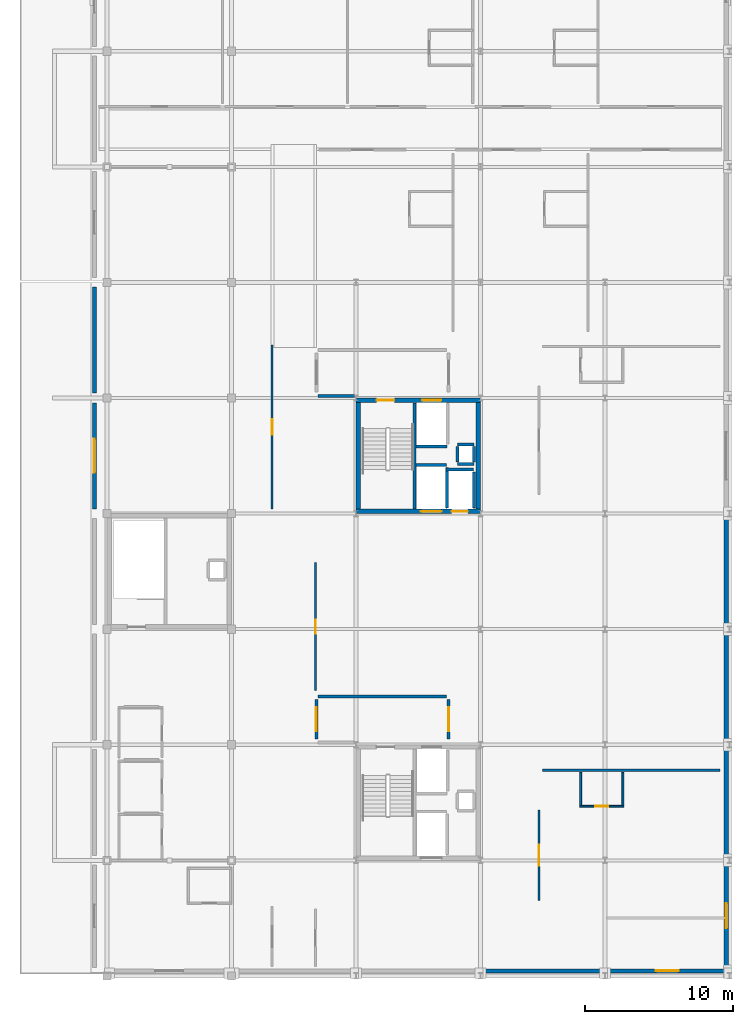
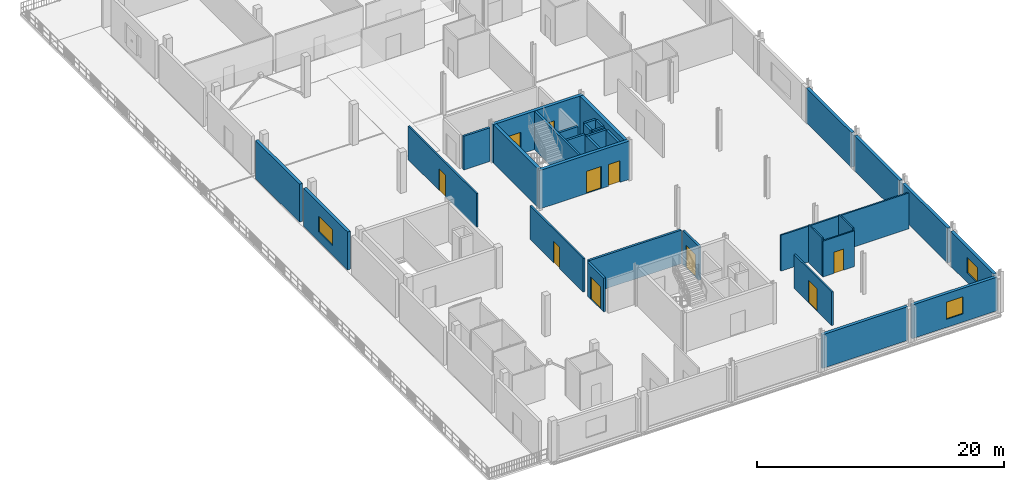
# One storey, part 8 of 16: 33 walls, 10 doors, 3 windows, 13 openings.
"""IFC4 building model written with IfcOpenShell, lengths in metres."""

from ifc_helpers import new_model, si_unit, direction, frame, frame_2d, origin, place, context, subcontext, project, spatial, rectangle, extrude, material, layer, layer_set, type_object, element, fill, save


model = new_model("IFC4")

# Units and contexts
model_context = context("Model", 3, precision=1e-05, world=origin(), true_north=direction((0.0, 1.0)))
body_context = subcontext(model_context, "Body", "Model", "MODEL_VIEW")
ifc_project = project(units=[si_unit("LENGTHUNIT", "METRE"), si_unit("AREAUNIT", "SQUARE_METRE"), si_unit("VOLUMEUNIT", "CUBIC_METRE"), si_unit("PLANEANGLEUNIT", "RADIAN"), si_unit("MASSUNIT", "GRAM", prefix="KILO")], contexts=[model_context])

# Site, building, storey
site_placement = place(None, origin())
site = spatial("IfcSite", under=ifc_project, at=site_placement, CompositionType="ELEMENT")
building_placement = place(site_placement, origin())
building = spatial("IfcBuilding", under=site, at=building_placement, Name="Nabrawat Pavilion Hospital", CompositionType="ELEMENT")
storey_placement = place(building_placement, frame((0.0, 0.0, 31.050048828125)))
storey = spatial("IfcBuildingStorey", under=building, at=storey_placement, Name="L07", CompositionType="ELEMENT", Elevation=31.050048828125)

# Wall, opening, door
ifc_material_1 = material(Name="Gypsum Fireboard on Steel Stud", Category="steel")
ifc_layer_1 = layer(ifc_material_1, 0.14990234375, Name="Gypsum Fireboard on Steel Stud")
ifc_layer_set_1 = layer_set([ifc_layer_1], Name="Gypsum Fireboard on Steel Stud")
wall_type_1 = type_object("IfcWallType", Name="Clinical Corridor Smoke-Barrier Wall 150", PredefinedType="PARTITIONING", material=ifc_layer_set_1)
wall_1_placement = place(storey_placement, frame((162.3349609375, 70.52001953125, 0.0), z_axis=(0.0, 0.0, 1.0), x_axis=(0.0, 1.0, 0.0)))
wall_1 = element("IfcWall", 1, at=wall_1_placement, inside=storey, type_object=wall_type_1, Name="L07 Upper Garden View Patient Lounge L07-02 Front Partition", PredefinedType="PARTITIONING", context=body_context, shape_type="SweptSolid", body=[
    extrude(rectangle(XDim=11.06005859375, YDim=0.14990234375, at=frame_2d((5.530029296875, 0.0))), origin(), (0.0, 0.0, 1.0), 3.33984375),
])
opening_1_placement = place(wall_1_placement, frame((5.0048828125, 0.0, 0.0)))
opening_1 = element("IfcOpeningElement", 2, at=opening_1_placement, cuts=wall_1, Name="Opening D-OPC-R", PredefinedType="OPENING", context=body_context, shape_type="SweptSolid", body=[
    extrude(rectangle(XDim=1.050048828125, YDim=2.14990234375, at=frame_2d((0.52490234375, 1.074951171875))), frame((0.0, 0.0849609375, 0.0), z_axis=(0.0, -1.0, 0.0), x_axis=(1.0, 0.0, 0.0)), (0.0, 0.0, 1.0), 0.169921875),
])
ifc_material_2 = material(Name="Stainless-Clad Acoustic Timber and Vision Glass", Category="wood")
door_type_1 = type_object("IfcDoorType", Name="Outpatient Clinic Consultation Door R 1050x2150", OperationType="NOTDEFINED", PredefinedType="DOOR", material=ifc_material_2)
door_1_placement = place(opening_1_placement, origin())
door_1 = element("IfcDoor", 3, at=door_1_placement, inside=storey, type_object=door_type_1, Name="Upper Garden View Patient Lounge L07-02 Door", OperationType="SINGLE_SWING_LEFT", OverallHeight=2.14990234375, OverallWidth=1.050048828125, PredefinedType="DOOR", context=body_context, shape_type="SweptSolid", body=[
    extrude(rectangle(XDim=1.050048828125, YDim=2.14990234375, at=frame_2d((0.52490234375, 1.074951171875))), frame((0.0, 0.02490234375, 0.0), z_axis=(0.0, -1.0, 0.0), x_axis=(1.0, 0.0, 0.0)), (0.0, 0.0, 1.0), 0.050048828125),
])
fill(opening_1, door_1)

wall_2_placement = place(storey_placement, frame((165.264892578125, 58.25, 0.0), z_axis=(0.0, 0.0, 1.0), x_axis=(0.0, 1.0, 0.0)))
wall_2 = element("IfcWall", 4, at=wall_2_placement, inside=storey, type_object=wall_type_1, Name="L07 Multidisciplinary Case Review Room L07-04 Front Partition", PredefinedType="PARTITIONING", context=body_context, shape_type="SweptSolid", body=[
    extrude(rectangle(XDim=8.64990234375, YDim=0.14990234375, at=frame_2d((4.324951171875, 0.0))), origin(), (0.0, 0.0, 1.0), 3.33984375),
])
opening_2_placement = place(wall_2_placement, frame((3.85009765625, 0.0, 0.0)))
opening_2 = element("IfcOpeningElement", 5, at=opening_2_placement, cuts=wall_2, Name="Opening D-ADM", PredefinedType="OPENING", context=body_context, shape_type="SweptSolid", body=[
    extrude(rectangle(XDim=0.949951171875, YDim=2.10009765625, at=frame_2d((0.47509765625, 1.050048828125))), frame((0.0, 0.0849609375, 0.0), z_axis=(0.0, -1.0, 0.0), x_axis=(1.0, 0.0, 0.0)), (0.0, 0.0, 1.0), 0.169921875),
])
door_type_2 = type_object("IfcDoorType", Name="Clinical Office Acoustic Door 950x2100", OperationType="NOTDEFINED", PredefinedType="DOOR", material=ifc_material_2)
door_2_placement = place(opening_2_placement, origin())
door_2 = element("IfcDoor", 6, at=door_2_placement, inside=storey, type_object=door_type_2, Name="Multidisciplinary Case Review Room L07-04 Door", OperationType="SINGLE_SWING_LEFT", OverallHeight=2.10009765625, OverallWidth=0.949951171875, PredefinedType="DOOR", context=body_context, shape_type="SweptSolid", body=[
    extrude(rectangle(XDim=0.949951171875, YDim=2.10009765625, at=frame_2d((0.47509765625, 1.050048828125))), frame((0.0, 0.02490234375, 0.0), z_axis=(0.0, -1.0, 0.0), x_axis=(1.0, 0.0, 0.0)), (0.0, 0.0, 1.0), 0.050048828125),
])
fill(opening_2, door_2)

wall_3_placement = place(storey_placement, frame((180.35009765625, 44.080078125, 0.0), z_axis=(0.0, 0.0, 1.0), x_axis=(0.0, 1.0, 0.0)))
wall_3 = element("IfcWall", 7, at=wall_3_placement, inside=storey, type_object=wall_type_1, Name="L07 Inpatient Ward Respiratory Boulevard Suite L07-E1 Front Partition", PredefinedType="PARTITIONING", context=body_context, shape_type="SweptSolid", body=[
    extrude(rectangle(XDim=6.1298828125, YDim=0.14990234375, at=frame_2d((3.06494140625, 0.0))), origin(), (0.0, 0.0, 1.0), 3.33984375),
])
opening_3_placement = place(wall_3_placement, frame((2.364990234375, 0.0, 0.0)))
opening_3 = element("IfcOpeningElement", 8, at=opening_3_placement, cuts=wall_3, Name="Opening D-BED", PredefinedType="OPENING", context=body_context, shape_type="SweptSolid", body=[
    extrude(rectangle(XDim=1.39990234375, YDim=2.199951171875, at=frame_2d((0.699951171875, 1.10009765625))), frame((0.0, 0.0849609375, 0.0), z_axis=(0.0, -1.0, 0.0), x_axis=(1.0, 0.0, 0.0)), (0.0, 0.0, 1.0), 0.169921875),
])
door_type_3 = type_object("IfcDoorType", Name="D-BED Inpatient Ward Leaf-and-a-Half Door 1400x2200", OperationType="NOTDEFINED", PredefinedType="DOOR", material=ifc_material_2)
door_3_placement = place(opening_3_placement, origin())
door_3 = element("IfcDoor", 9, at=door_3_placement, inside=storey, type_object=door_type_3, Name="Inpatient Ward Respiratory Boulevard Suite L07-E1 Door", OperationType="SINGLE_SWING_RIGHT", OverallHeight=2.199951171875, OverallWidth=1.39990234375, PredefinedType="DOOR", context=body_context, shape_type="SweptSolid", body=[
    extrude(rectangle(XDim=1.39990234375, YDim=2.199951171875, at=frame_2d((0.699951171875, 1.10009765625))), frame((0.0, 0.02490234375, 0.0), z_axis=(0.0, -1.0, 0.0), x_axis=(1.0, 0.0, 0.0)), (0.0, 0.0, 1.0), 0.050048828125),
])
fill(opening_3, door_3)

ifc_material_3 = material(Name="Cement Board on Steel Stud", Category="steel")
ifc_layer_2 = layer(ifc_material_3, 0.1298828125, Name="Cement Board on Steel Stud")
ifc_layer_set_2 = layer_set([ifc_layer_2], Name="Cement Board on Steel Stud")
wall_type_2 = type_object("IfcWallType", Name="En-Suite Moisture-Resistant Partition 130", PredefinedType="PARTITIONING", material=ifc_layer_set_2)
wall_4_placement = place(storey_placement, frame((183.0849609375, 50.449951171875, 0.0), z_axis=(0.0, 0.0, 1.0), x_axis=(1.0, 0.0, 0.0)))
wall_4 = element("IfcWall", 10, at=wall_4_placement, inside=storey, type_object=wall_type_2, Name="L07 En-Suite Bathroom WRD-RSP-E1 Front Partition", PredefinedType="PARTITIONING", context=body_context, shape_type="SweptSolid", body=[
    extrude(rectangle(XDim=2.97998046875, YDim=0.1298828125, at=frame_2d((1.489990234375, 0.0))), origin(), (0.0, 0.0, 1.0), 3.550048828125),
])
opening_4_placement = place(wall_4_placement, frame((1.0400390625, 0.0, 0.0)))
opening_4 = element("IfcOpeningElement", 11, at=opening_4_placement, cuts=wall_4, Name="Opening D-ENS-R", PredefinedType="OPENING", context=body_context, shape_type="SweptSolid", body=[
    extrude(rectangle(XDim=0.89990234375, YDim=2.10009765625, at=frame_2d((0.449951171875, 1.050048828125))), frame((0.0, 0.074951171875, 0.0), z_axis=(0.0, -1.0, 0.0), x_axis=(1.0, 0.0, 0.0)), (0.0, 0.0, 1.0), 0.14990234375),
])
door_type_4 = type_object("IfcDoorType", Name="En-Suite Bathroom Outward Door R 900x2100", OperationType="NOTDEFINED", PredefinedType="DOOR", material=ifc_material_2)
door_4_placement = place(opening_4_placement, origin())
door_4 = element("IfcDoor", 12, at=door_4_placement, inside=storey, type_object=door_type_4, Name="En-Suite Bathroom WRD-RSP-E1 Door", OperationType="SINGLE_SWING_LEFT", OverallHeight=2.10009765625, OverallWidth=0.89990234375, PredefinedType="DOOR", context=body_context, shape_type="SweptSolid", body=[
    extrude(rectangle(XDim=0.89990234375, YDim=2.10009765625, at=frame_2d((0.449951171875, 1.050048828125))), frame((0.0, 0.02490234375, 0.0), z_axis=(0.0, -1.0, 0.0), x_axis=(1.0, 0.0, 0.0)), (0.0, 0.0, 1.0), 0.050048828125),
])
fill(opening_4, door_4)

# Walls
for number, where, z_axis, x_axis, name in (
    (13, (183.14990234375, 50.514892578125, 0.0), (0.0, 0.0, 1.0), (0.0, 1.0, 0.0), "L07 En-Suite Bathroom WRD-RSP-E1 West Partition"),
    (14, (186.0, 50.514892578125, 0.0), (0.0, 0.0, 1.0), (0.0, 1.0, 0.0), "L07 En-Suite Bathroom WRD-RSP-E1 East Partition"),
):
    element("IfcWall", number, at=place(storey_placement, frame(where, z_axis=z_axis, x_axis=x_axis)), inside=storey, type_object=wall_type_2, Name=name, PredefinedType="PARTITIONING", context=body_context, shape_type="SweptSolid", body=[
        extrude(rectangle(XDim=2.22021484375, YDim=0.1298828125, at=frame_2d((1.110107421875, 0.0))), origin(), (0.0, 0.0, 1.0), 3.77001953125),
    ])
ifc_material_4 = material(Name="Concrete C35/45", Category="concrete")
ifc_layer_3 = layer(ifc_material_4, 0.199951171875, Name="Concrete C35/45")
ifc_layer_set_3 = layer_set([ifc_layer_3], Name="Concrete C35/45")
wall_type_3 = type_object("IfcWallType", Name="Firefighting Lobby Compartment Wall 200", PredefinedType="PARTITIONING", material=ifc_layer_set_3)
wall_5_placement = place(storey_placement, frame((165.43994140625, 57.85009765625, 0.0), z_axis=(0.0, 0.0, 1.0), x_axis=(1.0, 0.0, 0.0)))
element("IfcWall", 15, at=wall_5_placement, inside=storey, type_object=wall_type_3, Name="L07 CORE-5 Firefighting Lobby North Compartment Wall", PredefinedType="PARTITIONING", context=body_context, shape_type="SweptSolid", body=[
    extrude(rectangle(XDim=8.66015625, YDim=0.199951171875, at=frame_2d((4.330078125, 0.0))), origin(), (0.0, 0.0, 1.0), 3.33984375),
])

# Wall, opening, door
wall_6_placement = place(storey_placement, frame((165.320068359375, 55.0, 0.0), z_axis=(0.0, 0.0, 1.0), x_axis=(0.0, 1.0, 0.0)))
wall_6 = element("IfcWall", 16, at=wall_6_placement, inside=storey, type_object=wall_type_3, Name="L07 CORE-5 Firefighting Lobby West Compartment Wall", PredefinedType="PARTITIONING", context=body_context, shape_type="SweptSolid", body=[
    extrude(rectangle(XDim=2.64990234375, YDim=0.199951171875, at=frame_2d((1.324951171875, 0.0))), origin(), (0.0, 0.0, 1.0), 3.33984375),
])
opening_5_placement = place(wall_6_placement, frame((0.52490234375, 0.0, 0.0)))
opening_5 = element("IfcOpeningElement", 17, at=opening_5_placement, cuts=wall_6, Name="Opening D-FFL", PredefinedType="OPENING", context=body_context, shape_type="SweptSolid", body=[
    extrude(rectangle(XDim=1.60009765625, YDim=2.199951171875, at=frame_2d((0.800048828125, 1.10009765625))), frame((0.0, 0.10986328125, 0.0), z_axis=(0.0, -1.0, 0.0), x_axis=(1.0, 0.0, 0.0)), (0.0, 0.0, 1.0), 0.219970703125),
])
door_type_5 = type_object("IfcDoorType", Name="D-FFL Firefighting Lobby Double Smoke Door 1600x2200", OperationType="NOTDEFINED", PredefinedType="DOOR", material=ifc_material_2)
door_5_placement = place(opening_5_placement, origin())
door_5 = element("IfcDoor", 18, at=door_5_placement, inside=storey, type_object=door_type_5, Name="L07 CORE-5 Firefighting Lobby West Smoke Door", OperationType="DOUBLE_DOOR_SINGLE_SWING", OverallHeight=2.199951171875, OverallWidth=1.60009765625, PredefinedType="DOOR", context=body_context, shape_type="SweptSolid", body=[
    extrude(rectangle(XDim=1.60009765625, YDim=2.199951171875, at=frame_2d((0.800048828125, 1.10009765625))), frame((0.0, 0.02490234375, 0.0), z_axis=(0.0, -1.0, 0.0), x_axis=(1.0, 0.0, 0.0)), (0.0, 0.0, 1.0), 0.050048828125),
])
fill(opening_5, door_5)

wall_7_placement = place(storey_placement, frame((174.25, 55.0, 0.0), z_axis=(0.0, 0.0, 1.0), x_axis=(0.0, 1.0, 0.0)))
wall_7 = element("IfcWall", 19, at=wall_7_placement, inside=storey, type_object=wall_type_3, Name="L07 CORE-5 Firefighting Lobby East Compartment Wall", PredefinedType="PARTITIONING", context=body_context, shape_type="SweptSolid", body=[
    extrude(rectangle(XDim=2.64990234375, YDim=0.199951171875, at=frame_2d((1.324951171875, 0.0))), origin(), (0.0, 0.0, 1.0), 3.33984375),
])
opening_6_placement = place(wall_7_placement, frame((0.52490234375, 0.0, 0.0)))
opening_6 = element("IfcOpeningElement", 20, at=opening_6_placement, cuts=wall_7, Name="Opening D-FFL", PredefinedType="OPENING", context=body_context, shape_type="SweptSolid", body=[
    extrude(rectangle(XDim=1.60009765625, YDim=2.199951171875, at=frame_2d((0.800048828125, 1.10009765625))), frame((0.0, 0.10986328125, 0.0), z_axis=(0.0, -1.0, 0.0), x_axis=(1.0, 0.0, 0.0)), (0.0, 0.0, 1.0), 0.219970703125),
])
door_6_placement = place(opening_6_placement, origin())
door_6 = element("IfcDoor", 21, at=door_6_placement, inside=storey, type_object=door_type_5, Name="L07 CORE-5 Firefighting Lobby East Smoke Door", OperationType="DOUBLE_DOOR_SINGLE_SWING", OverallHeight=2.199951171875, OverallWidth=1.60009765625, PredefinedType="DOOR", context=body_context, shape_type="SweptSolid", body=[
    extrude(rectangle(XDim=1.60009765625, YDim=2.199951171875, at=frame_2d((0.800048828125, 1.10009765625))), frame((0.0, 0.02490234375, 0.0), z_axis=(0.0, -1.0, 0.0), x_axis=(1.0, 0.0, 0.0)), (0.0, 0.0, 1.0), 0.050048828125),
])
fill(opening_6, door_6)

# Walls
wall_8_placement = place(storey_placement, frame((165.43994140625, 78.14990234375, 0.0), z_axis=(0.0, 0.0, 1.0), x_axis=(1.0, 0.0, 0.0)))
element("IfcWall", 22, at=wall_8_placement, inside=storey, type_object=wall_type_3, Name="L07 CORE-6 Firefighting Lobby South Return Wall", PredefinedType="PARTITIONING", context=body_context, shape_type="SweptSolid", body=[
    extrude(rectangle(XDim=2.43994140625, YDim=0.199951171875, at=frame_2d((1.219970703125, 0.0))), origin(), (0.0, 0.0, 1.0), 3.33984375),
])
ifc_material_5 = material(Name="Acoustic Gypsum on Steel Stud", Category="steel")
ifc_layer_4 = layer(ifc_material_5, 0.139892578125, Name="Acoustic Gypsum on Steel Stud")
ifc_layer_set_4 = layer_set([ifc_layer_4], Name="Acoustic Gypsum on Steel Stud")
wall_type_4 = type_object("IfcWallType", Name="Inpatient Ward Acoustic Partition 140", PredefinedType="PARTITIONING", material=ifc_layer_set_4)
wall_9_placement = place(storey_placement, frame((180.570068359375, 52.8798828125, 0.0), z_axis=(0.0, 0.0, 1.0), x_axis=(1.0, 0.0, 0.0)))
element("IfcWall", 23, at=wall_9_placement, inside=storey, type_object=wall_type_4, Name="L07 Inpatient Ward Respiratory Boulevard Suite L07-E1 Dividing Partition", PredefinedType="PARTITIONING", context=body_context, shape_type="SweptSolid", body=[
    extrude(rectangle(XDim=11.97998046875, YDim=0.139892578125, at=frame_2d((5.989990234375, 0.0))), origin(), (0.0, 0.0, 1.0), 3.550048828125),
])

# Wall, opening, window
ifc_material_6 = material(Name="Precast concrete C40/50", Category="concrete")
ifc_layer_5 = layer(ifc_material_6, 0.280029296875, Name="Precast concrete C40/50")
ifc_layer_set_5 = layer_set([ifc_layer_5], Name="Precast concrete C40/50")
wall_type_5 = type_object("IfcWallType", Name="Insulated Precast Facade Wall 280", PredefinedType="SOLIDWALL", material=ifc_layer_set_5)
wall_10_placement = place(storey_placement, frame((150.340087890625, 70.52490234375, 0.0), z_axis=(0.0, 0.0, 1.0), x_axis=(0.0, 1.0, 0.0)))
wall_10 = element("IfcWall", 24, at=wall_10_placement, inside=storey, type_object=wall_type_5, Name="L07 Insulated Precast Facade Wall 280 420", PredefinedType="SOLIDWALL", context=body_context, shape_type="SweptSolid", body=[
    extrude(rectangle(XDim=7.150146484375, YDim=0.280029296875, at=frame_2d((3.5751953125, 0.0))), origin(), (0.0, 0.0, 1.0), 3.77001953125),
])
opening_7_placement = place(wall_10_placement, frame((2.425048828125, 0.0, 0.949951171875)))
opening_7 = element("IfcOpeningElement", 25, at=opening_7_placement, cuts=wall_10, Name="Opening WN-21", PredefinedType="OPENING", context=body_context, shape_type="SweptSolid", body=[
    extrude(rectangle(XDim=2.300048828125, YDim=1.550048828125, at=frame_2d((1.14990234375, 0.77490234375))), frame((0.0, 0.14990234375, 0.0), z_axis=(0.0, -1.0, 0.0), x_axis=(1.0, 0.0, 0.0)), (0.0, 0.0, 1.0), 0.300048828125),
])
ifc_material_7 = material(Name="Thermally Broken Aluminium and Solar Glass", Category="aluminium")
window_type_1 = type_object("IfcWindowType", Name="Sunken Forecourt Metro Window 2300x1550", PartitioningType="SINGLE_PANEL", PredefinedType="WINDOW", material=ifc_material_7)
window_1_placement = place(opening_7_placement, origin())
window_1 = element("IfcWindow", 26, at=window_1_placement, inside=storey, type_object=window_type_1, Name="L07 Sunken Forecourt Metro Window 2300x1550 149", OverallHeight=1.550048828125, OverallWidth=2.300048828125, PartitioningType="SINGLE_PANEL", PredefinedType="WINDOW", context=body_context, shape_type="SweptSolid", body=[
    extrude(rectangle(XDim=2.300048828125, YDim=1.550048828125, at=frame_2d((1.14990234375, 0.77490234375))), frame((0.0, 0.030029296875, 0.0), z_axis=(0.0, -1.0, 0.0), x_axis=(1.0, 0.0, 0.0)), (0.0, 0.0, 1.0), 0.06005859375),
])
fill(opening_7, window_1)

# Walls
wall_11_placement = place(storey_placement, frame((150.340087890625, 78.324951171875, 0.0), z_axis=(0.0, 0.0, 1.0), x_axis=(0.0, 1.0, 0.0)))
element("IfcWall", 27, at=wall_11_placement, inside=storey, type_object=wall_type_5, Name="L07 Insulated Precast Facade Wall 280 421", PredefinedType="SOLIDWALL", context=body_context, shape_type="SweptSolid", body=[
    extrude(rectangle(XDim=7.150146484375, YDim=0.280029296875, at=frame_2d((3.5751953125, 0.0))), origin(), (0.0, 0.0, 1.0), 3.77001953125),
])
wall_12_placement = place(storey_placement, frame((176.60009765625, 39.340087890625, 0.0), z_axis=(0.0, 0.0, 1.0), x_axis=(1.0, 0.0, 0.0)))
element("IfcWall", 28, at=wall_12_placement, inside=storey, type_object=wall_type_5, Name="L07 Insulated Precast Facade Wall 280 428", PredefinedType="SOLIDWALL", context=body_context, shape_type="SweptSolid", body=[
    extrude(rectangle(XDim=8.0, YDim=0.280029296875, at=frame_2d((4.0, 0.0))), origin(), (0.0, 0.0, 1.0), 3.33984375),
])

# Wall, opening, window
wall_13_placement = place(storey_placement, frame((185.0, 39.340087890625, 0.0), z_axis=(0.0, 0.0, 1.0), x_axis=(1.0, 0.0, 0.0)))
wall_13 = element("IfcWall", 29, at=wall_13_placement, inside=storey, type_object=wall_type_5, Name="L07 Insulated Precast Facade Wall 280 429", PredefinedType="SOLIDWALL", context=body_context, shape_type="SweptSolid", body=[
    extrude(rectangle(XDim=8.0, YDim=0.280029296875, at=frame_2d((4.0, 0.0))), origin(), (0.0, 0.0, 1.0), 3.33984375),
])
opening_8_placement = place(wall_13_placement, frame((3.22509765625, 0.0, 0.800048828125)))
opening_8 = element("IfcOpeningElement", 30, at=opening_8_placement, cuts=wall_13, Name="Opening WN-24", PredefinedType="OPENING", context=body_context, shape_type="SweptSolid", body=[
    extrude(rectangle(XDim=1.550048828125, YDim=1.699951171875, at=frame_2d((0.77490234375, 0.85009765625))), frame((0.0, 0.14990234375, 0.0), z_axis=(0.0, -1.0, 0.0), x_axis=(1.0, 0.0, 0.0)), (0.0, 0.0, 1.0), 0.300048828125),
])
window_type_2 = type_object("IfcWindowType", Name="Maternity Birthing Suite Window 1550x1700", PartitioningType="SINGLE_PANEL", PredefinedType="WINDOW", material=ifc_material_7)
window_2_placement = place(opening_8_placement, origin())
window_2 = element("IfcWindow", 31, at=window_2_placement, inside=storey, type_object=window_type_2, Name="L07 Maternity Birthing Suite Window 1550x1700 152", OverallHeight=1.699951171875, OverallWidth=1.550048828125, PartitioningType="SINGLE_PANEL", PredefinedType="WINDOW", context=body_context, shape_type="SweptSolid", body=[
    extrude(rectangle(XDim=1.550048828125, YDim=1.699951171875, at=frame_2d((0.77490234375, 0.85009765625))), frame((0.0, 0.030029296875, 0.0), z_axis=(0.0, -1.0, 0.0), x_axis=(1.0, 0.0, 0.0)), (0.0, 0.0, 1.0), 0.06005859375),
])
fill(opening_8, window_2)

wall_14_placement = place(storey_placement, frame((192.97998046875, 39.56005859375, 0.0), z_axis=(0.0, 0.0, 1.0), x_axis=(0.0, 1.0, 0.0)))
wall_14 = element("IfcWall", 32, at=wall_14_placement, inside=storey, type_object=wall_type_5, Name="L07 Insulated Precast Facade Wall 280 431", PredefinedType="SOLIDWALL", context=body_context, shape_type="SweptSolid", body=[
    extrude(rectangle(XDim=6.989990234375, YDim=0.280029296875, at=frame_2d((3.4951171875, 0.0))), origin(), (0.0, 0.0, 1.0), 3.43994140625),
])
opening_9_placement = place(wall_14_placement, frame((2.64501953125, 0.0, 0.949951171875)))
opening_9 = element("IfcOpeningElement", 33, at=opening_9_placement, cuts=wall_14, Name="Opening WN-25", PredefinedType="OPENING", context=body_context, shape_type="SweptSolid", body=[
    extrude(rectangle(XDim=1.699951171875, YDim=1.550048828125, at=frame_2d((0.85009765625, 0.77490234375))), frame((0.0, 0.14990234375, 0.0), z_axis=(0.0, -1.0, 0.0), x_axis=(1.0, 0.0, 0.0)), (0.0, 0.0, 1.0), 0.300048828125),
])
window_type_3 = type_object("IfcWindowType", Name="Cardiology Telemetry Window 1700x1550", PartitioningType="SINGLE_PANEL", PredefinedType="WINDOW", material=ifc_material_7)
window_3_placement = place(opening_9_placement, origin())
window_3 = element("IfcWindow", 34, at=window_3_placement, inside=storey, type_object=window_type_3, Name="L07 Cardiology Telemetry Window 1700x1550 153", OverallHeight=1.550048828125, OverallWidth=1.699951171875, PartitioningType="SINGLE_PANEL", PredefinedType="WINDOW", context=body_context, shape_type="SweptSolid", body=[
    extrude(rectangle(XDim=1.699951171875, YDim=1.550048828125, at=frame_2d((0.85009765625, 0.77490234375))), frame((0.0, 0.030029296875, 0.0), z_axis=(0.0, -1.0, 0.0), x_axis=(1.0, 0.0, 0.0)), (0.0, 0.0, 1.0), 0.06005859375),
])
fill(opening_9, window_3)

# Walls
wall_15_placement = place(storey_placement, frame((192.97998046875, 47.050048828125, 0.0), z_axis=(0.0, 0.0, 1.0), x_axis=(0.0, 1.0, 0.0)))
element("IfcWall", 35, at=wall_15_placement, inside=storey, type_object=wall_type_5, Name="L07 Insulated Precast Facade Wall 280 432", PredefinedType="SOLIDWALL", context=body_context, shape_type="SweptSolid", body=[
    extrude(rectangle(XDim=7.300048828125, YDim=0.280029296875, at=frame_2d((3.64990234375, 0.0))), origin(), (0.0, 0.0, 1.0), 3.43994140625),
])
wall_16_placement = place(storey_placement, frame((192.97998046875, 54.85009765625, 0.0), z_axis=(0.0, 0.0, 1.0), x_axis=(0.0, 1.0, 0.0)))
element("IfcWall", 36, at=wall_16_placement, inside=storey, type_object=wall_type_5, Name="L07 Insulated Precast Facade Wall 280 433", PredefinedType="SOLIDWALL", context=body_context, shape_type="SweptSolid", body=[
    extrude(rectangle(XDim=7.2998046875, YDim=0.280029296875, at=frame_2d((3.64990234375, 0.0))), origin(), (0.0, 0.0, 1.0), 3.43994140625),
])
wall_17_placement = place(storey_placement, frame((192.97998046875, 62.64990234375, 0.0), z_axis=(0.0, 0.0, 1.0), x_axis=(0.0, 1.0, 0.0)))
element("IfcWall", 37, at=wall_17_placement, inside=storey, type_object=wall_type_5, Name="L07 Insulated Precast Facade Wall 280 434", PredefinedType="SOLIDWALL", context=body_context, shape_type="SweptSolid", body=[
    extrude(rectangle(XDim=7.300048828125, YDim=0.280029296875, at=frame_2d((3.64990234375, 0.0))), origin(), (0.0, 0.0, 1.0), 3.43994140625),
])
ifc_layer_6 = layer(ifc_material_4, 0.199951171875, Name="Concrete C35/45")
ifc_layer_set_6 = layer_set([ifc_layer_6], Name="Concrete C35/45")
wall_type_6 = type_object("IfcWallType", Name="Lift and Riser Fire Shaft Wall 200", PredefinedType="PARTITIONING", material=ifc_layer_set_6)
wall_18_placement = place(storey_placement, frame((171.949951171875, 70.52001953125, 0.0), z_axis=(0.0, 0.0, 1.0), x_axis=(0.0, 1.0, 0.0)))
element("IfcWall", 38, at=wall_18_placement, inside=storey, type_object=wall_type_6, Name="L07 CORE-6 Stair-Lift Dividing Shear Wall", PredefinedType="SHEAR", context=body_context, shape_type="SweptSolid", body=[
    extrude(rectangle(XDim=7.159912109375, YDim=0.199951171875, at=frame_2d((3.580078125, 0.0))), origin(), (0.0, 0.0, 1.0), 3.81005859375),
])
for number, where, z_axis, x_axis, name in (
    (39, (174.85009765625, 73.550048828125, 0.0), (0.0, 0.0, 1.0), (1.0, 0.0, 0.0), "L07 CORE-6 MEP Riser Shaft Wall S"),
    (40, (174.85009765625, 74.85009765625, 0.0), (0.0, 0.0, 1.0), (1.0, 0.0, 0.0), "L07 CORE-6 MEP Riser Shaft Wall N"),
):
    element("IfcWall", number, at=place(storey_placement, frame(where, z_axis=z_axis, x_axis=x_axis)), inside=storey, type_object=wall_type_6, Name=name, PredefinedType="PARTITIONING", context=body_context, shape_type="SweptSolid", body=[
        extrude(rectangle(XDim=1.099853515625, YDim=0.199951171875, at=frame_2d((0.5498046875, 0.0))), origin(), (0.0, 0.0, 1.0), 3.33984375),
    ])
for number, where, z_axis, x_axis, name in (
    (41, (174.85009765625, 73.669921875, 0.0), (0.0, 0.0, 1.0), (0.0, 1.0, 0.0), "L07 CORE-6 MEP Riser Shaft Wall W"),
    (42, (175.949951171875, 73.669921875, 0.0), (0.0, 0.0, 1.0), (0.0, 1.0, 0.0), "L07 CORE-6 MEP Riser Shaft Wall E"),
):
    element("IfcWall", number, at=place(storey_placement, frame(where, z_axis=z_axis, x_axis=x_axis)), inside=storey, type_object=wall_type_6, Name=name, PredefinedType="PARTITIONING", context=body_context, shape_type="SweptSolid", body=[
        extrude(rectangle(XDim=1.06005859375, YDim=0.199951171875, at=frame_2d((0.530029296875, 0.0))), origin(), (0.0, 0.0, 1.0), 3.33984375),
    ])
wall_19_placement = place(storey_placement, frame((172.050048828125, 74.719970703125, 0.0), z_axis=(0.0, 0.0, 1.0), x_axis=(1.0, 0.0, 0.0)))
element("IfcWall", 43, at=wall_19_placement, inside=storey, type_object=wall_type_6, Name="L07 Lift LF-02 Shaft Back Wall", PredefinedType="PARTITIONING", context=body_context, shape_type="SweptSolid", body=[
    extrude(rectangle(XDim=2.099853515625, YDim=0.199951171875, at=frame_2d((1.0498046875, 0.0))), origin(), (0.0, 0.0, 1.0), 3.33984375),
])
wall_20_placement = place(storey_placement, frame((174.139892578125, 70.580078125, 0.0), z_axis=(0.0, 0.0, 1.0), x_axis=(0.0, 1.0, 0.0)))
element("IfcWall", 44, at=wall_20_placement, inside=storey, type_object=wall_type_6, Name="L07 Lift LB-04 Shaft East Wall", PredefinedType="PARTITIONING", context=body_context, shape_type="SweptSolid", body=[
    extrude(rectangle(XDim=2.739990234375, YDim=0.199951171875, at=frame_2d((1.3701171875, 0.0))), origin(), (0.0, 0.0, 1.0), 3.33984375),
])
wall_21_placement = place(storey_placement, frame((172.050048828125, 73.47998046875, 0.0), z_axis=(0.0, 0.0, 1.0), x_axis=(1.0, 0.0, 0.0)))
element("IfcWall", 45, at=wall_21_placement, inside=storey, type_object=wall_type_6, Name="L07 Lift LB-04 Shaft Back Wall", PredefinedType="PARTITIONING", context=body_context, shape_type="SweptSolid", body=[
    extrude(rectangle(XDim=2.06005859375, YDim=0.199951171875, at=frame_2d((1.030029296875, 0.0))), origin(), (0.0, 0.0, 1.0), 3.33984375),
])
wall_22_placement = place(storey_placement, frame((175.9599609375, 70.580078125, 0.0), z_axis=(0.0, 0.0, 1.0), x_axis=(0.0, 1.0, 0.0)))
element("IfcWall", 46, at=wall_22_placement, inside=storey, type_object=wall_type_6, Name="L07 Lift LS-02 Shaft East Wall", PredefinedType="PARTITIONING", context=body_context, shape_type="SweptSolid", body=[
    extrude(rectangle(XDim=2.43994140625, YDim=0.199951171875, at=frame_2d((1.219970703125, 0.0))), origin(), (0.0, 0.0, 1.0), 3.33984375),
])
wall_23_placement = place(storey_placement, frame((174.070068359375, 73.179931640625, 0.0), z_axis=(0.0, 0.0, 1.0), x_axis=(1.0, 0.0, 0.0)))
element("IfcWall", 47, at=wall_23_placement, inside=storey, type_object=wall_type_6, Name="L07 Lift LS-02 Shaft Back Wall", PredefinedType="PARTITIONING", context=body_context, shape_type="SweptSolid", body=[
    extrude(rectangle(XDim=1.85986328125, YDim=0.199951171875, at=frame_2d((0.929931640625, 0.0))), origin(), (0.0, 0.0, 1.0), 3.33984375),
])

# Wall, openings, doors
ifc_material_8 = material(Name="Concrete C40/50", Category="concrete")
ifc_layer_7 = layer(ifc_material_8, 0.300048828125, Name="Concrete C40/50")
ifc_layer_set_7 = layer_set([ifc_layer_7], Name="Concrete C40/50")
wall_type_7 = type_object("IfcWallType", Name="Reinforced Concrete Core Shear Wall 300", PredefinedType="SHEAR", material=ifc_layer_set_7)
wall_24_placement = place(storey_placement, frame((168.0, 70.35009765625, 0.0), z_axis=(0.0, 0.0, 1.0), x_axis=(1.0, 0.0, 0.0)))
wall_24 = element("IfcWall", 48, at=wall_24_placement, inside=storey, type_object=wall_type_7, Name="L07 CORE-6 South Core Shear Wall", PredefinedType="SHEAR", context=body_context, shape_type="SweptSolid", body=[
    extrude(rectangle(XDim=8.39990234375, YDim=0.300048828125, at=frame_2d((4.199951171875, 0.0))), origin(), (0.0, 0.0, 1.0), 3.81005859375),
])
opening_10_placement = place(wall_24_placement, frame((4.3798828125, 0.0, 0.0)))
opening_10 = element("IfcOpeningElement", 49, at=opening_10_placement, cuts=wall_24, Name="Opening LD-LB-04", PredefinedType="OPENING", context=body_context, shape_type="SweptSolid", body=[
    extrude(rectangle(XDim=1.39990234375, YDim=2.199951171875, at=frame_2d((0.699951171875, 1.10009765625))), frame((0.0, 0.16015625, 0.0), z_axis=(0.0, -1.0, 0.0), x_axis=(1.0, 0.0, 0.0)), (0.0, 0.0, 1.0), 0.320068359375),
])
opening_11_placement = place(wall_24_placement, frame((6.449951171875, 0.0, 0.0)))
opening_11 = element("IfcOpeningElement", 50, at=opening_11_placement, cuts=wall_24, Name="Opening LD-LS-02", PredefinedType="OPENING", context=body_context, shape_type="SweptSolid", body=[
    extrude(rectangle(XDim=1.10009765625, YDim=2.14990234375, at=frame_2d((0.550048828125, 1.074951171875))), frame((0.0, 0.16015625, 0.0), z_axis=(0.0, -1.0, 0.0), x_axis=(1.0, 0.0, 0.0)), (0.0, 0.0, 1.0), 0.320068359375),
])
door_type_6 = type_object("IfcDoorType", Name="Hospital Bed Lift Sliding Landing Door 1400x2200", OperationType="DOUBLE_DOOR_SLIDING", PredefinedType="DOOR", material=ifc_material_2)
door_7_placement = place(opening_10_placement, origin())
door_7 = element("IfcDoor", 51, at=door_7_placement, inside=storey, type_object=door_type_6, Name="L07 Lift LB-04 Sliding Landing Door", OperationType="DOUBLE_DOOR_SLIDING", OverallHeight=2.199951171875, OverallWidth=1.39990234375, PredefinedType="DOOR", context=body_context, shape_type="SweptSolid", body=[
    extrude(rectangle(XDim=1.39990234375, YDim=2.199951171875, at=frame_2d((0.699951171875, 1.10009765625))), frame((0.0, 0.02490234375, 0.0), z_axis=(0.0, -1.0, 0.0), x_axis=(1.0, 0.0, 0.0)), (0.0, 0.0, 1.0), 0.050048828125),
])
fill(opening_10, door_7)
door_type_7 = type_object("IfcDoorType", Name="Passenger Lift Sliding Landing Door 1100x2150", OperationType="DOUBLE_DOOR_SLIDING", PredefinedType="DOOR", material=ifc_material_2)
door_8_placement = place(opening_11_placement, origin())
door_8 = element("IfcDoor", 52, at=door_8_placement, inside=storey, type_object=door_type_7, Name="L07 Lift LS-02 Sliding Landing Door", OperationType="DOUBLE_DOOR_SLIDING", OverallHeight=2.14990234375, OverallWidth=1.10009765625, PredefinedType="DOOR", context=body_context, shape_type="SweptSolid", body=[
    extrude(rectangle(XDim=1.10009765625, YDim=2.14990234375, at=frame_2d((0.550048828125, 1.074951171875))), frame((0.0, 0.02490234375, 0.0), z_axis=(0.0, -1.0, 0.0), x_axis=(1.0, 0.0, 0.0)), (0.0, 0.0, 1.0), 0.050048828125),
])
fill(opening_11, door_8)

wall_25_placement = place(storey_placement, frame((168.0, 77.85009765625, 0.0), z_axis=(0.0, 0.0, 1.0), x_axis=(1.0, 0.0, 0.0)))
wall_25 = element("IfcWall", 53, at=wall_25_placement, inside=storey, type_object=wall_type_7, Name="L07 CORE-6 North Core Shear Wall", PredefinedType="SHEAR", context=body_context, shape_type="SweptSolid", body=[
    extrude(rectangle(XDim=8.39990234375, YDim=0.300048828125, at=frame_2d((4.199951171875, 0.0))), origin(), (0.0, 0.0, 1.0), 3.81005859375),
])
opening_12_placement = place(wall_25_placement, frame((1.3798828125, 0.0, 0.0)))
opening_12 = element("IfcOpeningElement", 54, at=opening_12_placement, cuts=wall_25, Name="Opening D-STAIR", PredefinedType="OPENING", context=body_context, shape_type="SweptSolid", body=[
    extrude(rectangle(XDim=1.199951171875, YDim=2.14990234375, at=frame_2d((0.60009765625, 1.074951171875))), frame((0.0, 0.16015625, 0.0), z_axis=(0.0, -1.0, 0.0), x_axis=(1.0, 0.0, 0.0)), (0.0, 0.0, 1.0), 0.320068359375),
])
opening_13_placement = place(wall_25_placement, frame((4.449951171875, 0.0, 0.0)))
opening_13 = element("IfcOpeningElement", 55, at=opening_13_placement, cuts=wall_25, Name="Opening LD-LF-02", PredefinedType="OPENING", context=body_context, shape_type="SweptSolid", body=[
    extrude(rectangle(XDim=1.300048828125, YDim=2.199951171875, at=frame_2d((0.64990234375, 1.10009765625))), frame((0.0, 0.16015625, 0.0), z_axis=(0.0, -1.0, 0.0), x_axis=(1.0, 0.0, 0.0)), (0.0, 0.0, 1.0), 0.320068359375),
])
door_type_8 = type_object("IfcDoorType", Name="D-STAIR Exit Stair Fire Door 1200x2150", OperationType="NOTDEFINED", PredefinedType="DOOR", material=ifc_material_2)
door_9_placement = place(opening_12_placement, origin())
door_9 = element("IfcDoor", 56, at=door_9_placement, inside=storey, type_object=door_type_8, Name="L07 ST-06 Fire Exit Stair Door", OperationType="SINGLE_SWING_LEFT", OverallHeight=2.14990234375, OverallWidth=1.199951171875, PredefinedType="DOOR", context=body_context, shape_type="SweptSolid", body=[
    extrude(rectangle(XDim=1.199951171875, YDim=2.14990234375, at=frame_2d((0.60009765625, 1.074951171875))), frame((0.0, 0.02490234375, 0.0), z_axis=(0.0, -1.0, 0.0), x_axis=(1.0, 0.0, 0.0)), (0.0, 0.0, 1.0), 0.050048828125),
])
fill(opening_12, door_9)
door_type_9 = type_object("IfcDoorType", Name="Firefighting Lift Sliding Landing Door 1300x2200", OperationType="DOUBLE_DOOR_SLIDING", PredefinedType="DOOR", material=ifc_material_2)
door_10_placement = place(opening_13_placement, origin())
door_10 = element("IfcDoor", 57, at=door_10_placement, inside=storey, type_object=door_type_9, Name="L07 Lift LF-02 Sliding Landing Door", OperationType="DOUBLE_DOOR_SLIDING", OverallHeight=2.199951171875, OverallWidth=1.300048828125, PredefinedType="DOOR", context=body_context, shape_type="SweptSolid", body=[
    extrude(rectangle(XDim=1.300048828125, YDim=2.199951171875, at=frame_2d((0.64990234375, 1.10009765625))), frame((0.0, 0.02490234375, 0.0), z_axis=(0.0, -1.0, 0.0), x_axis=(1.0, 0.0, 0.0)), (0.0, 0.0, 1.0), 0.050048828125),
])
fill(opening_13, door_10)

# Walls
for number, where, z_axis, x_axis, name in (
    (58, (168.14990234375, 70.5, 0.0), (0.0, 0.0, 1.0), (0.0, 1.0, 0.0), "L07 CORE-6 West Core Shear Wall"),
    (59, (176.25, 70.5, 0.0), (0.0, 0.0, 1.0), (0.0, 1.0, 0.0), "L07 CORE-6 East Core Shear Wall"),
):
    element("IfcWall", number, at=place(storey_placement, frame(where, z_axis=z_axis, x_axis=x_axis)), inside=storey, type_object=wall_type_7, Name=name, PredefinedType="SHEAR", context=body_context, shape_type="SweptSolid", body=[
        extrude(rectangle(XDim=7.199951171875, YDim=0.300048828125, at=frame_2d((3.60009765625, 0.0))), origin(), (0.0, 0.0, 1.0), 3.81005859375),
    ])

save(model, "model.ifc")
